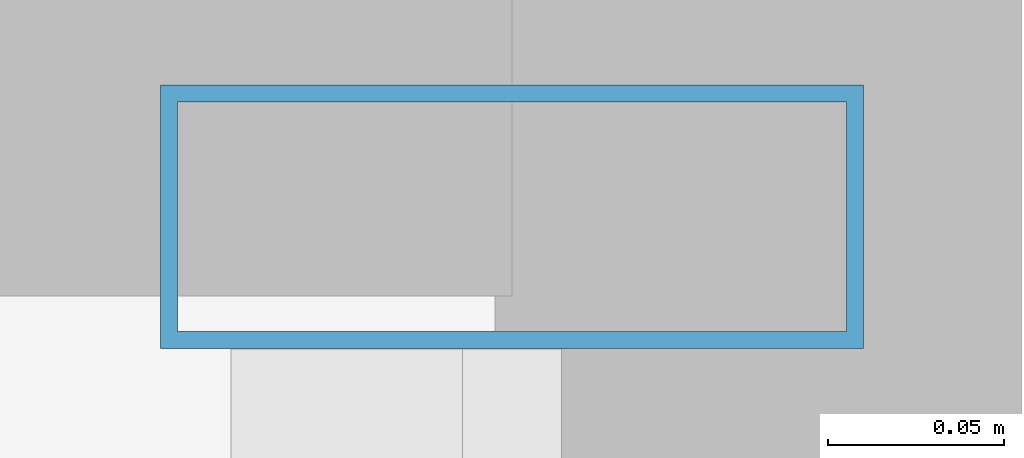
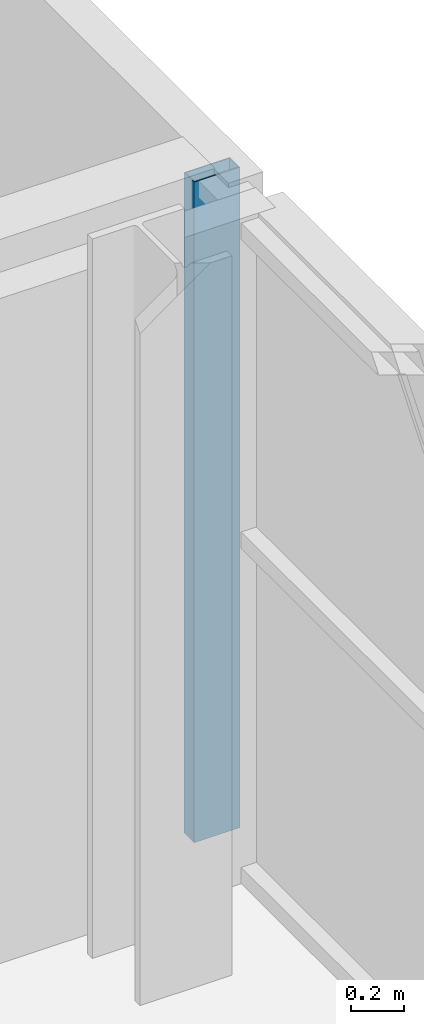
# One storey, part 13 of 22: 1 member, 1 element without a shape of its own.
"""IFC4 building model written with IfcOpenShell, lengths in metres."""

from ifc_helpers import new_model, si_unit, direction, frame, origin, origin_2d, place, context, subcontext, project, spatial, hollow_rectangle, extrude, source, transform, mapped, material, layer, layer_set, material_profile, profile_set, type_object, element, aggregate, save


model = new_model("IFC4")

# Units and contexts
model_context = context("Model", 3, precision=1e-05, world=origin(), true_north=direction((0.0, 1.0)))
body_context = subcontext(model_context, "Body", "Model", "MODEL_VIEW")
ifc_project = project(units=[si_unit("LENGTHUNIT", "METRE"), si_unit("AREAUNIT", "SQUARE_METRE"), si_unit("VOLUMEUNIT", "CUBIC_METRE"), si_unit("PLANEANGLEUNIT", "RADIAN"), si_unit("MASSUNIT", "GRAM", prefix="KILO")], contexts=[model_context])

# Site, building, storey
site_placement = place(None, origin())
site = spatial("IfcSite", under=ifc_project, at=site_placement, CompositionType="ELEMENT")
building_placement = place(site_placement, origin())
building = spatial("IfcBuilding", under=site, at=building_placement, Name="Zarnakvel Exchange Tower", CompositionType="ELEMENT")
storey_placement = place(building_placement, frame((0.0, 0.0, 195.699951171875)))
storey = spatial("IfcBuildingStorey", under=building, at=storey_placement, Name="L55", CompositionType="ELEMENT", Elevation=195.699951171875)

# Curtain wall, member
ifc_material = material(Name="Architectural Bronze Anodised Aluminium", Category="aluminium")
ifc_layer = layer(ifc_material, 0.199951171875)
ifc_layer_set = layer_set([ifc_layer], Name="Architectural Bronze Anodised Aluminium")
curtain_wall_type = type_object("IfcCurtainWallType", Name="CW-04", PredefinedType="NOTDEFINED", material=ifc_layer_set)
curtain_wall_placement = place(storey_placement, origin())
curtain_wall = element("IfcCurtainWall", 1, at=curtain_wall_placement, inside=storey, type_object=curtain_wall_type, Name="L55 Curtain Wall CW-L55-EN (CW-04)", PredefinedType="NOTDEFINED")
ifc_material_profile = material_profile(ifc_material, hollow_rectangle(XDim=0.199951171875, YDim=0.074951171875, WallThickness=0.0048828125, at=origin_2d()))
ifc_profile_set = profile_set([ifc_material_profile], Name="Architectural Bronze Anodised Aluminium")
member_type = type_object("IfcMemberType", Name="CWM-04", PredefinedType="MULLION", material=ifc_profile_set)
shared_shape = source(origin(), body_context, "Body", "SweptSolid", [
    extrude(hollow_rectangle(XDim=0.199951171875, YDim=0.074951171875, WallThickness=0.0048828125, at=origin_2d()), origin(), (0.0, 0.0, 1.0), 3.030029296875),
])
member_placement = place(storey_placement, frame((26.4599609375, 14.16259765625, 0.0), z_axis=(0.0, 0.0, 1.0), x_axis=(-1.0, 0.0, 0.0)))
member = element("IfcMember", 2, at=member_placement, type_object=member_type, Name="CW-04 mullion 3", PredefinedType="MULLION", context=body_context, shape_type="MappedRepresentation", body=[
    mapped(shared_shape, transform((0.0, 0.0, 0.0), x_axis=(1.0, 0.0, 0.0), y_axis=(0.0, 1.0, 0.0), z_axis=(0.0, 0.0, 1.0), scale=1.0)),
])
aggregate(curtain_wall, [member])

save(model, "model.ifc")
